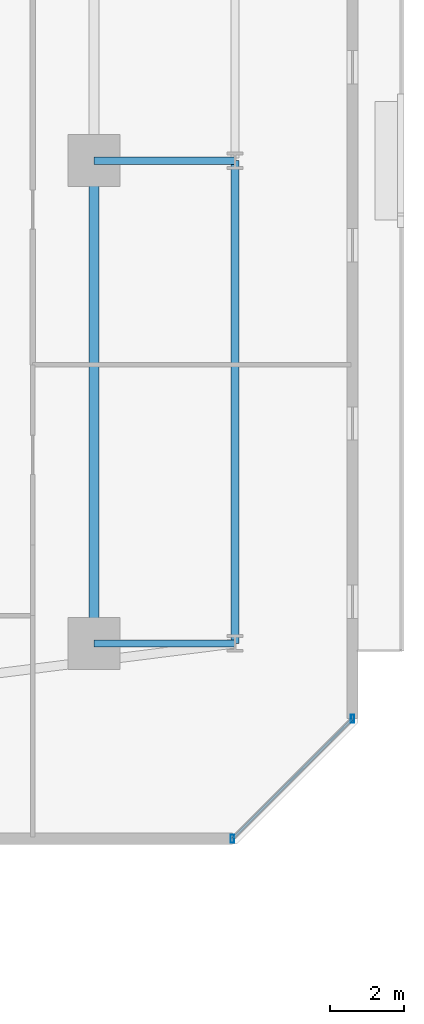
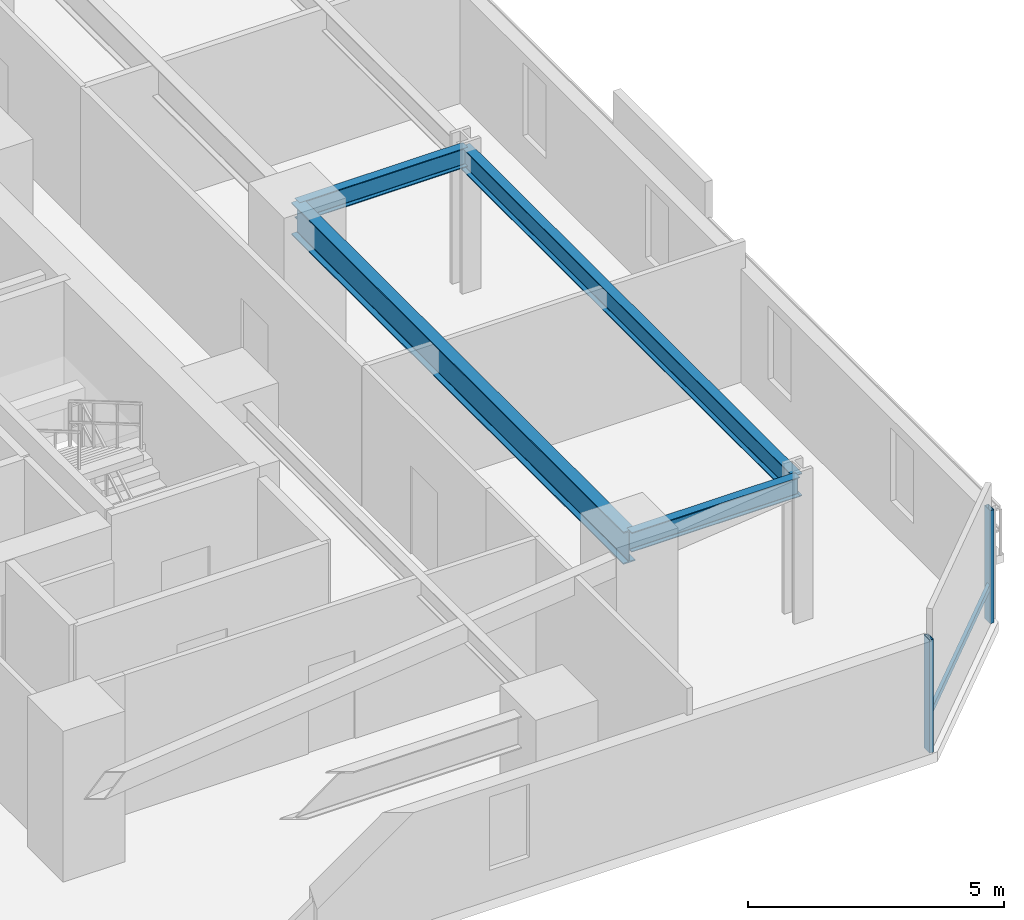
# One storey, part 14 of 34: 4 beams, 3 members, 1 element without a shape of its own.
"""IFC4 building model written with IfcOpenShell, lengths in metres."""

import ifcopenshell
import ifcopenshell.guid

model = None  # the IFC model being written
_history = None  # IfcOwnerHistory: only IFC2X3 demands one
_inside = {}  # id of a spatial element -> (the spatial element, [elements in it])
_under = {}  # id of a project, library or spatial element -> (it, [spatial elements below it])
_declared = {}  # id of a project -> (the project, [libraries it declares])
_typed = {}  # id of a type object -> (the type object, [elements of that type])
_made_of = {}  # id of a material, layer set ... -> (it, [elements and type objects made of it])


def new_model(schema):
    """Start an empty IFC model of exactly this schema.

    Asked for "IFC4X3", IfcOpenShell would pick the latest addendum, in which some entities
    have other attributes; the version numbers below select the first issue.
    IFC2X3 requires an IfcOwnerHistory on every rooted entity: one is made here for all.
    """
    global model, _history
    if schema == "IFC4X3":
        model = ifcopenshell.file(schema_version=(4, 3, 0, 0))
    else:
        model = ifcopenshell.file(schema=schema)
    _inside.clear()
    _under.clear()
    _declared.clear()
    _typed.clear()
    _made_of.clear()
    _history = None
    if model.schema == "IFC2X3":
        org = make("IfcOrganization", Name="unknown")
        user = make(
            "IfcPersonAndOrganization",
            ThePerson=make("IfcPerson", FamilyName="unknown"),
            TheOrganization=org,
        )
        app = make(
            "IfcApplication",
            ApplicationDeveloper=org,
            Version="unknown",
            ApplicationFullName="unknown",
            ApplicationIdentifier="unknown",
        )
        _history = make(
            "IfcOwnerHistory",
            OwningUser=user,
            OwningApplication=app,
            ChangeAction="ADDED",
            CreationDate=0,
        )
    return model


def make(cls, **values):
    """One entity of the class cls with the attributes given. An attribute that is None is left unset."""
    return model.create_entity(
        cls, **{name: value for name, value in values.items() if value is not None}
    )


def rooted(cls, **values):
    """An entity with a GlobalId (a new one), such as an element, a storey or a relation."""
    return make(cls, GlobalId=ifcopenshell.guid.new(), OwnerHistory=_history, **values)


def si_unit(unit_type, name, prefix=None):
    """IfcSIUnit, for example si_unit("LENGTHUNIT", "METRE", prefix="MILLI")."""
    return make("IfcSIUnit", UnitType=unit_type, Prefix=prefix, Name=name)


def assignment(units):
    """IfcUnitAssignment: the units of a project."""
    return None if units is None else make("IfcUnitAssignment", Units=units)


def point(xyz):
    """IfcCartesianPoint."""
    return None if xyz is None else make("IfcCartesianPoint", Coordinates=xyz)


def direction(xyz):
    """IfcDirection."""
    return None if xyz is None else make("IfcDirection", DirectionRatios=xyz)


def frame(location, z_axis=None, x_axis=None):
    """IfcAxis2Placement3D, a coordinate frame: its origin and axes. An axis left out is left unset."""
    return make(
        "IfcAxis2Placement3D",
        Location=point(location),
        Axis=direction(z_axis),
        RefDirection=direction(x_axis),
    )


def frame_2d(location, x_axis=None):
    """IfcAxis2Placement2D, a coordinate frame in the plane: its origin and x axis."""
    return make(
        "IfcAxis2Placement2D", Location=point(location), RefDirection=direction(x_axis)
    )


def origin():
    """The frame at (0, 0, 0) with its axes left unset."""
    return frame((0.0, 0.0, 0.0))


def origin_2d():
    """The frame at (0, 0) in the plane with its x axis left unset."""
    return frame_2d((0.0, 0.0))


def place(relative_to, where):
    """IfcLocalPlacement: puts the frame where relative to a parent placement (None: the world)."""
    return make(
        "IfcLocalPlacement", PlacementRelTo=relative_to, RelativePlacement=where
    )


def context(
    kind, dimensions, precision=None, world=None, true_north=None, identifier=None
):
    """IfcGeometricRepresentationContext, for example the 3D "Model" context."""
    return make(
        "IfcGeometricRepresentationContext",
        ContextIdentifier=identifier,
        ContextType=kind,
        CoordinateSpaceDimension=dimensions,
        Precision=precision,
        WorldCoordinateSystem=world,
        TrueNorth=true_north,
    )


def subcontext(parent, identifier, kind, view, scale=None):
    """IfcGeometricRepresentationSubContext, for example "Body" below "Model"."""
    return make(
        "IfcGeometricRepresentationSubContext",
        ContextIdentifier=identifier,
        ContextType=kind,
        ParentContext=parent,
        TargetScale=scale,
        TargetView=view,
    )


def project(units=None, contexts=None):
    """IfcProject with its units and contexts."""
    return rooted(
        "IfcProject",
        Name="project",
        RepresentationContexts=contexts,
        UnitsInContext=assignment(units),
    )


def spatial(cls, under=None, at=None, **own):
    """A site, building, storey or space (cls), placed at a placement, below another one or the project."""
    s = rooted(cls, ObjectPlacement=at, **own)
    if under is not None:
        _under.setdefault(under.id(), (under, []))[1].append(s)
    return s


def profile(cls, at=None, kind="AREA", **sizes):
    """A parametric profile (cls). Its sizes go by their IFC names, for example OverallWidth=200.0."""
    return make(cls, ProfileType=kind, Position=at, **sizes)


def hollow_rectangle(**sizes):
    """IfcRectangleHollowProfileDef."""
    return profile("IfcRectangleHollowProfileDef", **sizes)


def i_section(**sizes):
    """IfcIShapeProfileDef."""
    return profile("IfcIShapeProfileDef", **sizes)


def extrude(swept, where, along, depth):
    """IfcExtrudedAreaSolid: the profile swept, set in the frame where, extruded along a direction by depth."""
    return make(
        "IfcExtrudedAreaSolid",
        SweptArea=swept,
        Position=where,
        ExtrudedDirection=direction(along),
        Depth=depth,
    )


def shape(context_of_items, identifier, shape_type, items):
    """IfcShapeRepresentation: the items that make up one representation, for example the "Body"."""
    return make(
        "IfcShapeRepresentation",
        ContextOfItems=context_of_items,
        RepresentationIdentifier=identifier,
        RepresentationType=shape_type,
        Items=items,
    )


def material(Name=None, Category=None):
    """IfcMaterial."""
    return make("IfcMaterial", Name=Name, Category=Category)


def material_profile(
    of_material, cross_section, Name=None, Category=None, Priority=None
):
    """IfcMaterialProfile: a cross section and its material."""
    return make(
        "IfcMaterialProfile",
        Name=Name,
        Material=of_material,
        Profile=cross_section,
        Priority=Priority,
        Category=Category,
    )


def profile_set(profiles, Name=None, composite=None):
    """IfcMaterialProfileSet."""
    return make(
        "IfcMaterialProfileSet",
        Name=Name,
        MaterialProfiles=profiles,
        CompositeProfile=composite,
    )


def made_of(thing, what):
    """Note that an element or type object is made of a material, layer set ...; save() writes the relation."""
    if what is not None:
        _made_of.setdefault(what.id(), (what, []))[1].append(thing)
    return thing


def type_object(cls, material=None, **own):
    """A type object (cls), such as IfcWallType, which elements share."""
    return made_of(rooted(cls, **own), material)


def element(
    cls,
    number,
    at=None,
    inside=None,
    cuts=None,
    type_object=None,
    material=None,
    context=None,
    identifier="Body",
    shape_type=None,
    held_by="IfcProductDefinitionShape",
    body=None,
    shapes=None,
    **own,
):
    """One element of the class cls, such as IfcWall. Its Tag is "e" and its number.

    at: its placement. inside: the storey or other place that contains it. cuts: it is an
    opening in that element (IfcRelVoidsElement). A single representation is given by context,
    identifier, shape_type and body (its items); several are given by shapes. held_by: the class
    of the entity that holds the representations. save() writes the other relations.
    """
    e = rooted(cls, Tag="e%d" % number, ObjectPlacement=at, **own)
    if body is not None:
        shapes = [shape(context, identifier, shape_type, body)]
    if shapes is not None:
        e.Representation = make(held_by, Representations=shapes)
    if inside is not None:
        _inside.setdefault(inside.id(), (inside, []))[1].append(e)
    if cuts is not None:
        rooted(
            "IfcRelVoidsElement", RelatingBuildingElement=cuts, RelatedOpeningElement=e
        )
    if type_object is not None:
        _typed.setdefault(type_object.id(), (type_object, []))[1].append(e)
    return made_of(e, material)


def aggregate(whole, parts):
    """IfcRelAggregates: a whole, such as a stair, and the parts it consists of."""
    return rooted("IfcRelAggregates", RelatingObject=whole, RelatedObjects=parts)


def save(model, path):
    """Write the relations noted so far, then the file.

    IfcRelAggregates (storeys below a building ...), IfcRelContainedInSpatialStructure (elements
    in a storey), IfcRelDefinesByType, IfcRelAssociatesMaterial and IfcRelDeclares: one each for
    every whole, place, type object, material and project.
    """
    for whole, parts in _under.values():
        aggregate(whole, parts)
    for where, things in _inside.values():
        rooted(
            "IfcRelContainedInSpatialStructure",
            RelatedElements=things,
            RelatingStructure=where,
        )
    for kind, things in _typed.values():
        rooted("IfcRelDefinesByType", RelatedObjects=things, RelatingType=kind)
    for what, things in _made_of.values():
        rooted("IfcRelAssociatesMaterial", RelatedObjects=things, RelatingMaterial=what)
    for by, libraries in _declared.values():
        rooted("IfcRelDeclares", RelatingContext=by, RelatedDefinitions=libraries)
    model.write(path)


model = new_model("IFC4")

# Units and contexts
model_context = context("Model", 3, precision=1e-05, world=origin(), true_north=direction((0.0, 1.0)))
body_context = subcontext(model_context, "Body", "Model", "MODEL_VIEW")
ifc_project = project(units=[si_unit("LENGTHUNIT", "METRE"), si_unit("AREAUNIT", "SQUARE_METRE"), si_unit("VOLUMEUNIT", "CUBIC_METRE"), si_unit("PLANEANGLEUNIT", "RADIAN"), si_unit("MASSUNIT", "GRAM", prefix="KILO")], contexts=[model_context])

# Site, building, storey
site_placement = place(None, origin())
site = spatial("IfcSite", under=ifc_project, at=site_placement, CompositionType="ELEMENT")
building_placement = place(site_placement, origin())
building = spatial("IfcBuilding", under=site, at=building_placement, Name="Thornwick Lancets Civic Towers", CompositionType="ELEMENT")
storey_placement = place(building_placement, frame((0.0, 0.0, 60.89990234375)))
storey = spatial("IfcBuildingStorey", under=building, at=storey_placement, Name="L15", CompositionType="ELEMENT", Elevation=60.89990234375)

# Beams
ifc_material_1 = material(Name="Steel S355JR", Category="steel")
ifc_material_profile_1 = material_profile(ifc_material_1, i_section(OverallWidth=0.2119140625, OverallDepth=0.54443359375, WebThickness=0.0126953125, FlangeThickness=0.021240234375, FilletRadius=0.0126953125, at=origin_2d()), Name="UKB 533x210x122")
ifc_profile_set_1 = profile_set([ifc_material_profile_1], Name="Steel S355JR")
beam_type_1 = type_object("IfcBeamType", Name="BM_EDGE_533_122", PredefinedType="SPANDREL", material=ifc_profile_set_1)
beam_1_placement = place(storey_placement, frame((109.60009765625, 14.0, 3.087890625), z_axis=(0.0, 1.0, 0.0), x_axis=(-1.0, 0.0, 0.0)))
element("IfcBeam", 1, at=beam_1_placement, inside=storey, type_object=beam_type_1, Name="BM-EDGE-L15-B-S0-1", PredefinedType="SPANDREL", context=body_context, shape_type="SweptSolid", body=[
    extrude(i_section(OverallWidth=0.2119140625, OverallDepth=0.54443359375, WebThickness=0.0126953125, FlangeThickness=0.021240234375, FilletRadius=0.0126953125, at=origin_2d()), origin(), (0.0, 0.0, 1.0), 13.0),
])
ifc_material_profile_2 = material_profile(ifc_material_1, i_section(OverallWidth=0.26806640625, OverallDepth=0.769775390625, WebThickness=0.015625, FlangeThickness=0.025390625, FilletRadius=0.0166015625, at=origin_2d()), Name="UKB 762x267x197")
ifc_profile_set_2 = profile_set([ifc_material_profile_2], Name="Steel S355JR")
beam_type_2 = type_object("IfcBeamType", Name="BM_GIRD_762_197", PredefinedType="BEAM", material=ifc_profile_set_2)
beam_2_placement = place(storey_placement, frame((105.800048828125, 14.0, 2.97509765625), z_axis=(0.0, 1.0, 0.0), x_axis=(-1.0, 0.0, 0.0)))
element("IfcBeam", 2, at=beam_2_placement, inside=storey, type_object=beam_type_2, Name="BM-SPINE-L15-B-0-1", PredefinedType="BEAM", context=body_context, shape_type="SweptSolid", body=[
    extrude(i_section(OverallWidth=0.26806640625, OverallDepth=0.769775390625, WebThickness=0.015625, FlangeThickness=0.025390625, FilletRadius=0.0166015625, at=origin_2d()), origin(), (0.0, 0.0, 1.0), 13.0),
])
ifc_material_profile_3 = material_profile(ifc_material_1, i_section(OverallWidth=0.19287109375, OverallDepth=0.46728515625, WebThickness=0.011474609375, FlangeThickness=0.01953125, FilletRadius=0.01025390625, at=origin_2d()), Name="UKB 457x191x98")
ifc_profile_set_3 = profile_set([ifc_material_profile_3], Name="Steel S355JR")
beam_type_3 = type_object("IfcBeamType", Name="BM_JOIST_457_98", PredefinedType="JOIST", material=ifc_profile_set_3)
for number, where, z_axis, x_axis, name in (
    (3, (105.800048828125, 14.0, 3.12646484375), (1.0, 0.0, 0.0), (0.0, 1.0, 0.0), "BM-RAD-L15-B01"),
    (4, (105.800048828125, 27.0, 3.12646484375), (1.0, 0.0, 0.0), (0.0, 1.0, 0.0), "BM-RAD-L15-B02"),
):
    element("IfcBeam", number, at=place(storey_placement, frame(where, z_axis=z_axis, x_axis=x_axis)), inside=storey, type_object=beam_type_3, Name=name, PredefinedType="JOIST", context=body_context, shape_type="SweptSolid", body=[
        extrude(i_section(OverallWidth=0.19287109375, OverallDepth=0.46728515625, WebThickness=0.011474609375, FlangeThickness=0.01953125, FilletRadius=0.01025390625, at=origin_2d()), origin(), (0.0, 0.0, 1.0), 3.800048828125),
    ])

# Curtain wall, members
ifc_material_2 = material(Name="Low-zone chamfered-corner unitised glass curtain wall", Category="glass")
curtain_wall_type = type_object("IfcCurtainWallType", Name="CW_SYS_03", PredefinedType="NOTDEFINED", material=ifc_material_2)
curtain_wall_placement = place(storey_placement, origin())
curtain_wall = element("IfcCurtainWall", 5, at=curtain_wall_placement, inside=storey, type_object=curtain_wall_type, Name="L15 Curtain Wall CW-L15-B-E1", PredefinedType="NOTDEFINED")
ifc_material_3 = material(Name="Thermally broken bronze aluminium S355", Category="steel")
ifc_material_profile_4 = material_profile(ifc_material_3, hollow_rectangle(XDim=0.090087890625, YDim=0.219970703125, WallThickness=0.00634765625, at=origin_2d()), Name="RHS 220x90x6.3")
ifc_profile_set_4 = profile_set([ifc_material_profile_4], Name="Thermally broken bronze aluminium S355")
member_type_1 = type_object("IfcMemberType", Name="CW_MUL_220", PredefinedType="MULLION", material=ifc_profile_set_4)
member_1_placement = place(storey_placement, frame((109.528564453125, 8.7373046875, 0.0), z_axis=(0.0, 0.0, 1.0), x_axis=(1.0, 0.0, 0.0)))
member_1 = element("IfcMember", 6, at=member_1_placement, type_object=member_type_1, Name="CW-L15-B-E1 Mullion 0", PredefinedType="MULLION", context=body_context, shape_type="SweptSolid", body=[
    extrude(hollow_rectangle(XDim=0.090087890625, YDim=0.219970703125, WallThickness=0.00634765625, at=origin_2d()), origin(), (0.0, 0.0, 1.0), 2.7001953125),
])
member_2_placement = place(storey_placement, frame((112.7626953125, 11.971435546875, 0.0), z_axis=(0.0, 0.0, 1.0), x_axis=(1.0, 0.0, 0.0)))
member_2 = element("IfcMember", 7, at=member_2_placement, type_object=member_type_1, Name="CW-L15-B-E1 Mullion 1", PredefinedType="MULLION", context=body_context, shape_type="SweptSolid", body=[
    extrude(hollow_rectangle(XDim=0.090087890625, YDim=0.219970703125, WallThickness=0.00634765625, at=origin_2d()), origin(), (0.0, 0.0, 1.0), 2.7001953125),
])
ifc_material_profile_5 = material_profile(ifc_material_3, hollow_rectangle(XDim=0.074951171875, YDim=0.14990234375, WallThickness=0.0048828125, at=origin_2d()), Name="RHS 150x75x5")
ifc_profile_set_5 = profile_set([ifc_material_profile_5], Name="Thermally broken bronze aluminium S355")
member_type_2 = type_object("IfcMemberType", Name="CW_TRN_150", PredefinedType="USERDEFINED", material=ifc_profile_set_5)
member_3_placement = place(storey_placement, frame((109.542724609375, 8.75146484375, 0.85009765625), z_axis=(0.707106781187, 0.707106781187, 0.0), x_axis=(-0.707106781187, 0.707106781187, 0.0)))
member_3 = element("IfcMember", 8, at=member_3_placement, type_object=member_type_2, Name="CW-L15-B-E1 Transom 0", ObjectType="TRANSOM", PredefinedType="USERDEFINED", context=body_context, shape_type="SweptSolid", body=[
    extrude(hollow_rectangle(XDim=0.074951171875, YDim=0.14990234375, WallThickness=0.0048828125, at=origin_2d()), origin(), (0.0, 0.0, 1.0), 4.53369140625),
])
aggregate(curtain_wall, [member_1, member_2, member_3])

save(model, "model.ifc")
